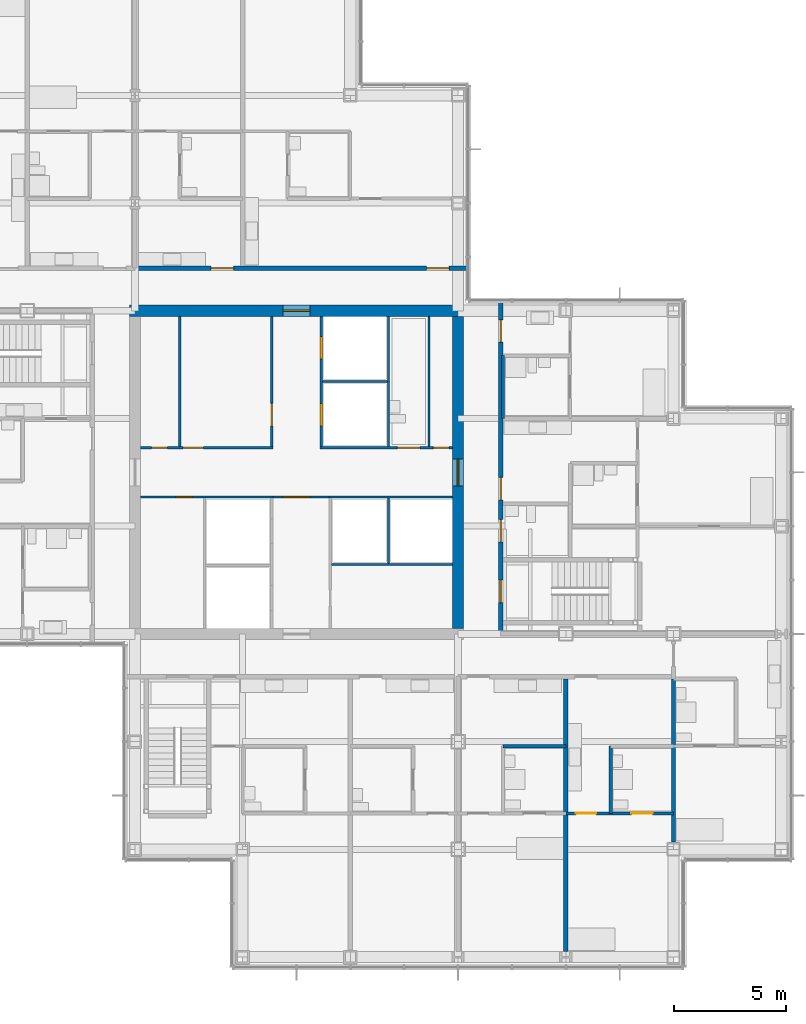
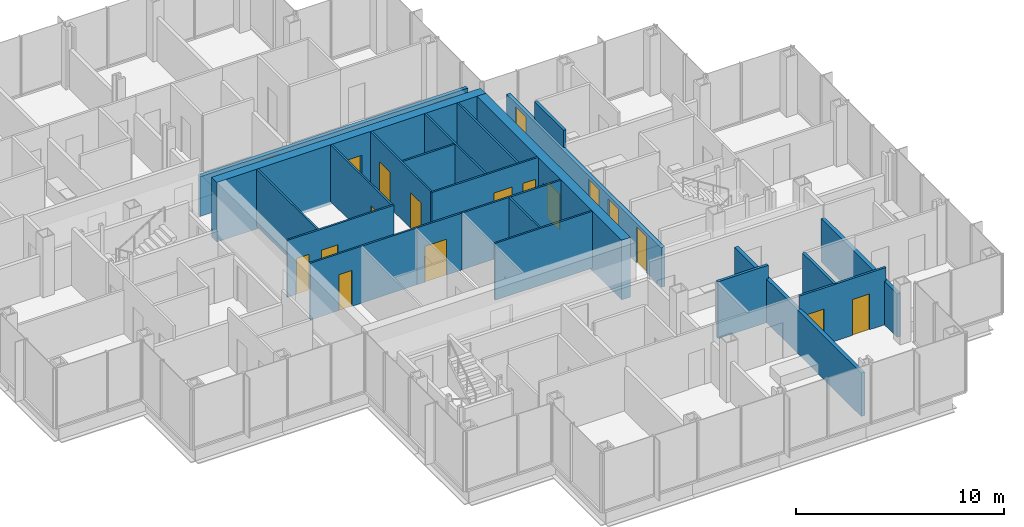
# One storey, part 15 of 20: 23 walls, 19 doors, 19 openings.
"""IFC4 building model written with IfcOpenShell, lengths in metres."""

from ifc_helpers import new_model, si_unit, direction, frame, frame_2d, origin, place, context, subcontext, project, spatial, rectangle, extrude, material, layer, layer_set, type_object, element, fill, save


model = new_model("IFC4")

# Units and contexts
model_context = context("Model", 3, precision=1e-05, world=origin(), true_north=direction((0.0, 1.0)))
body_context = subcontext(model_context, "Body", "Model", "MODEL_VIEW")
ifc_project = project(units=[si_unit("LENGTHUNIT", "METRE"), si_unit("AREAUNIT", "SQUARE_METRE"), si_unit("VOLUMEUNIT", "CUBIC_METRE"), si_unit("PLANEANGLEUNIT", "RADIAN"), si_unit("MASSUNIT", "GRAM", prefix="KILO")], contexts=[model_context])

# Site, building, storey
site_placement = place(None, origin())
site = spatial("IfcSite", under=ifc_project, at=site_placement, CompositionType="ELEMENT")
building_placement = place(site_placement, origin())
building = spatial("IfcBuilding", under=site, at=building_placement, Name="Kvirike Care Tower", CompositionType="ELEMENT")
storey_placement = place(building_placement, frame((0.0, 0.0, 112.0)))
storey = spatial("IfcBuildingStorey", under=building, at=storey_placement, Name="L30", CompositionType="ELEMENT", Elevation=112.0)

# Walls
ifc_material_1 = material(Name="Moisture-resistant board partition", Category="gypsum")
ifc_layer_1 = layer(ifc_material_1, 0.14990234375)
ifc_layer_set_1 = layer_set([ifc_layer_1], Name="BATHROOM WALL 150")
wall_type_1 = type_object("IfcWallType", Name="BATHROOM WALL 150", PredefinedType="PARTITIONING", material=ifc_layer_set_1)
wall_1_placement = place(storey_placement, frame((30.800048828125, 23.800048828125, 0.0), z_axis=(0.0, 0.0, 1.0), x_axis=(1.0, 0.0, 0.0)))
element("IfcWall", 1, at=wall_1_placement, inside=storey, type_object=wall_type_1, Name="Bathroom Wall 150 L30", PredefinedType="PARTITIONING", context=body_context, shape_type="SweptSolid", body=[
    extrude(rectangle(XDim=2.800048828125, YDim=0.14990234375, at=frame_2d((1.39990234375, 0.0))), origin(), (0.0, 0.0, 1.0), 3.330078125),
])
wall_2_placement = place(storey_placement, frame((35.60009765625, 20.800048828125, 0.0), z_axis=(0.0, 0.0, 1.0), x_axis=(0.0, 1.0, 0.0)))
element("IfcWall", 2, at=wall_2_placement, inside=storey, type_object=wall_type_1, Name="Bathroom Wall 150 L30", PredefinedType="PARTITIONING", context=body_context, shape_type="SweptSolid", body=[
    extrude(rectangle(XDim=3.0, YDim=0.14990234375, at=frame_2d((1.5, 0.0))), origin(), (0.0, 0.0, 1.0), 3.330078125),
])
wall_3_placement = place(storey_placement, frame((30.800048828125, 38.39990234375, 0.0), z_axis=(0.0, 0.0, 1.0), x_axis=(0.0, 1.0, 0.0)))
element("IfcWall", 3, at=wall_3_placement, inside=storey, type_object=wall_type_1, Name="Bathroom Wall 150 L30", PredefinedType="PARTITIONING", context=body_context, shape_type="SweptSolid", body=[
    extrude(rectangle(XDim=2.800048828125, YDim=0.14990234375, at=frame_2d((1.39990234375, 0.0))), origin(), (0.0, 0.0, 1.0), 3.330078125),
])

# Wall, opening, door
ifc_material_2 = material(Name="Concrete C50/60", Category="concrete")
ifc_layer_2 = layer(ifc_material_2, 0.5)
ifc_layer_set_2 = layer_set([ifc_layer_2], Name="CORE WALL 500 C50-60")
wall_type_2 = type_object("IfcWallType", Name="CORE WALL 500 C50-60", PredefinedType="SHEAR", material=ifc_layer_set_2)
wall_4_placement = place(storey_placement, frame((29.050048828125, 43.199951171875, -0.169921875), z_axis=(0.0, 0.0, 1.0), x_axis=(-1.0, 0.0, 0.0)))
wall_4 = element("IfcWall", 4, at=wall_4_placement, inside=storey, type_object=wall_type_2, Name="Core wall N L30", PredefinedType="SHEAR", context=body_context, shape_type="SweptSolid", body=[
    extrude(rectangle(XDim=14.900146484375, YDim=0.5, at=frame_2d((7.4501953125, 0.0))), origin(), (0.0, 0.0, 1.0), 3.5),
])
opening_1_placement = place(wall_4_placement, frame((6.85009765625, 0.0, 0.169921875)))
opening_1 = element("IfcOpeningElement", 5, at=opening_1_placement, cuts=wall_4, Name="Opening 30-065", PredefinedType="OPENING", context=body_context, shape_type="SweptSolid", body=[
    extrude(rectangle(XDim=1.199951171875, YDim=2.10009765625, at=frame_2d((0.60009765625, 1.050048828125))), frame((0.0, 0.260498046875, 0.0), z_axis=(0.0, -1.0, 0.0), x_axis=(1.0, 0.0, 0.0)), (0.0, 0.0, 1.0), 0.52099609375),
])
ifc_material_3 = material(Name="Timber door set", Category="wood")
door_type_1 = type_object("IfcDoorType", Name="CORE DOOR 1200", OperationType="SINGLE_SWING_LEFT", PredefinedType="DOOR", material=ifc_material_3)
door_1_placement = place(opening_1_placement, origin())
door_1 = element("IfcDoor", 6, at=door_1_placement, inside=storey, type_object=door_type_1, Name="Core door N L30", OperationType="SINGLE_SWING_LEFT", OverallHeight=2.10009765625, OverallWidth=1.199951171875, PredefinedType="DOOR", context=body_context, shape_type="SweptSolid", body=[
    extrude(rectangle(XDim=1.199951171875, YDim=2.10009765625, at=frame_2d((0.60009765625, 1.050048828125))), frame((0.0, 0.02685546875, 0.0), z_axis=(0.0, -1.0, 0.0), x_axis=(1.0, 0.0, 0.0)), (0.0, 0.0, 1.0), 0.053955078125),
])
fill(opening_1, door_1)

wall_5_placement = place(storey_placement, frame((28.800048828125, 29.050048828125, -0.169921875), z_axis=(0.0, 0.0, 1.0), x_axis=(0.0, 1.0, 0.0)))
wall_5 = element("IfcWall", 7, at=wall_5_placement, inside=storey, type_object=wall_type_2, Name="Core wall E L30", PredefinedType="SHEAR", context=body_context, shape_type="SweptSolid", body=[
    extrude(rectangle(XDim=13.89990234375, YDim=0.5, at=frame_2d((6.949951171875, 0.0))), origin(), (0.0, 0.0, 1.0), 3.5),
])
opening_2_placement = place(wall_5_placement, frame((6.35009765625, 0.0, 0.169921875)))
opening_2 = element("IfcOpeningElement", 8, at=opening_2_placement, cuts=wall_5, Name="Opening 30-064", PredefinedType="OPENING", context=body_context, shape_type="SweptSolid", body=[
    extrude(rectangle(XDim=1.199951171875, YDim=2.10009765625, at=frame_2d((0.60009765625, 1.050048828125))), frame((0.0, 0.260498046875, 0.0), z_axis=(0.0, -1.0, 0.0), x_axis=(1.0, 0.0, 0.0)), (0.0, 0.0, 1.0), 0.52099609375),
])
door_2_placement = place(opening_2_placement, origin())
door_2 = element("IfcDoor", 9, at=door_2_placement, inside=storey, type_object=door_type_1, Name="Core door E L30", OperationType="SINGLE_SWING_LEFT", OverallHeight=2.10009765625, OverallWidth=1.199951171875, PredefinedType="DOOR", context=body_context, shape_type="SweptSolid", body=[
    extrude(rectangle(XDim=1.199951171875, YDim=2.10009765625, at=frame_2d((0.60009765625, 1.050048828125))), frame((0.0, 0.02685546875, 0.0), z_axis=(0.0, -1.0, 0.0), x_axis=(1.0, 0.0, 0.0)), (0.0, 0.0, 1.0), 0.053955078125),
])
fill(opening_2, door_2)

# Wall, openings, doors
ifc_material_4 = material(Name="Plasterboard corridor wall", Category="gypsum")
ifc_layer_3 = layer(ifc_material_4, 0.199951171875)
ifc_layer_set_3 = layer_set([ifc_layer_3], Name="CORRIDOR WALL 200")
wall_type_3 = type_object("IfcWallType", Name="CORRIDOR WALL 200", PredefinedType="PARTITIONING", material=ifc_layer_set_3)
wall_6_placement = place(storey_placement, frame((29.239990234375, 45.10009765625, 0.0), z_axis=(0.0, 0.0, 1.0), x_axis=(-1.0, 0.0, 0.0)))
wall_6 = element("IfcWall", 10, at=wall_6_placement, inside=storey, type_object=wall_type_3, Name="Corridor Wall 200 L30", PredefinedType="PARTITIONING", context=body_context, shape_type="SweptSolid", body=[
    extrude(rectangle(XDim=14.840087890625, YDim=0.199951171875, at=frame_2d((7.419921875, 0.0))), origin(), (0.0, 0.0, 1.0), 2.320068359375),
])
opening_3_placement = place(wall_6_placement, frame((0.840087890625, 0.0, 0.0)))
opening_3 = element("IfcOpeningElement", 11, at=opening_3_placement, cuts=wall_6, Name="Opening 30-030", PredefinedType="OPENING", context=body_context, shape_type="SweptSolid", body=[
    extrude(rectangle(XDim=1.0, YDim=2.10009765625, at=frame_2d((0.5, 1.050048828125))), frame((0.0, 0.110595703125, 0.0), z_axis=(0.0, -1.0, 0.0), x_axis=(1.0, 0.0, 0.0)), (0.0, 0.0, 1.0), 0.220947265625),
])
opening_4_placement = place(wall_6_placement, frame((10.43994140625, 0.0, 0.0)))
opening_4 = element("IfcOpeningElement", 12, at=opening_4_placement, cuts=wall_6, Name="Opening 30-031", PredefinedType="OPENING", context=body_context, shape_type="SweptSolid", body=[
    extrude(rectangle(XDim=1.0, YDim=2.10009765625, at=frame_2d((0.5, 1.050048828125))), frame((0.0, 0.110595703125, 0.0), z_axis=(0.0, -1.0, 0.0), x_axis=(1.0, 0.0, 0.0)), (0.0, 0.0, 1.0), 0.220947265625),
])
ifc_material_5 = material(Name="Timber door set", Category="wood")
door_type_2 = type_object("IfcDoorType", Name="FLAT ENTRANCE DOOR 1000", OperationType="SINGLE_SWING_LEFT", PredefinedType="DOOR", material=ifc_material_5)
door_3_placement = place(opening_3_placement, frame((1.0, 0.0, 0.0), z_axis=(0.0, 0.0, 1.0), x_axis=(-1.0, 0.0, 0.0)))
door_3 = element("IfcDoor", 13, at=door_3_placement, inside=storey, type_object=door_type_2, Name="Household lounge entrance", OperationType="SINGLE_SWING_LEFT", OverallHeight=2.10009765625, OverallWidth=1.0, PredefinedType="DOOR", context=body_context, shape_type="SweptSolid", body=[
    extrude(rectangle(XDim=1.0, YDim=2.10009765625, at=frame_2d((0.5, 1.050048828125))), frame((0.0, 0.02685546875, 0.0), z_axis=(0.0, -1.0, 0.0), x_axis=(1.0, 0.0, 0.0)), (0.0, 0.0, 1.0), 0.053955078125),
])
fill(opening_3, door_3)
door_4_placement = place(opening_4_placement, frame((1.0, 0.0, 0.0), z_axis=(0.0, 0.0, 1.0), x_axis=(-1.0, 0.0, 0.0)))
door_4 = element("IfcDoor", 14, at=door_4_placement, inside=storey, type_object=door_type_2, Name="Household dining entrance", OperationType="SINGLE_SWING_LEFT", OverallHeight=2.10009765625, OverallWidth=1.0, PredefinedType="DOOR", context=body_context, shape_type="SweptSolid", body=[
    extrude(rectangle(XDim=1.0, YDim=2.10009765625, at=frame_2d((0.5, 1.050048828125))), frame((0.0, 0.02685546875, 0.0), z_axis=(0.0, -1.0, 0.0), x_axis=(1.0, 0.0, 0.0)), (0.0, 0.0, 1.0), 0.053955078125),
])
fill(opening_4, door_4)

wall_7_placement = place(storey_placement, frame((30.699951171875, 28.800048828125, 0.0), z_axis=(0.0, 0.0, 1.0), x_axis=(0.0, 1.0, 0.0)))
wall_7 = element("IfcWall", 15, at=wall_7_placement, inside=storey, type_object=wall_type_3, Name="Corridor Wall 200 L30", PredefinedType="PARTITIONING", context=body_context, shape_type="SweptSolid", body=[
    extrude(rectangle(XDim=14.83984375, YDim=0.199951171875, at=frame_2d((7.419921875, 0.0))), origin(), (0.0, 0.0, 1.0), 2.320068359375),
])
opening_5_placement = place(wall_7_placement, frame((1.39990234375, 0.0, 0.0)))
opening_5 = element("IfcOpeningElement", 16, at=opening_5_placement, cuts=wall_7, Name="Opening 30-046", PredefinedType="OPENING", context=body_context, shape_type="SweptSolid", body=[
    extrude(rectangle(XDim=1.0, YDim=2.10009765625, at=frame_2d((0.5, 1.050048828125))), frame((0.0, 0.110595703125, 0.0), z_axis=(0.0, -1.0, 0.0), x_axis=(1.0, 0.0, 0.0)), (0.0, 0.0, 1.0), 0.220947265625),
])
opening_6_placement = place(wall_7_placement, frame((4.10009765625, 0.0, 0.0)))
opening_6 = element("IfcOpeningElement", 17, at=opening_6_placement, cuts=wall_7, Name="Opening 30-047", PredefinedType="OPENING", context=body_context, shape_type="SweptSolid", body=[
    extrude(rectangle(XDim=1.0, YDim=2.10009765625, at=frame_2d((0.5, 1.050048828125))), frame((0.0, 0.110595703125, 0.0), z_axis=(0.0, -1.0, 0.0), x_axis=(1.0, 0.0, 0.0)), (0.0, 0.0, 1.0), 0.220947265625),
])
opening_7_placement = place(wall_7_placement, frame((5.97509765625, 0.0, 0.0)))
opening_7 = element("IfcOpeningElement", 18, at=opening_7_placement, cuts=wall_7, Name="Opening 30-048", PredefinedType="OPENING", context=body_context, shape_type="SweptSolid", body=[
    extrude(rectangle(XDim=1.0, YDim=2.10009765625, at=frame_2d((0.5, 1.050048828125))), frame((0.0, 0.110595703125, 0.0), z_axis=(0.0, -1.0, 0.0), x_axis=(1.0, 0.0, 0.0)), (0.0, 0.0, 1.0), 0.220947265625),
])
opening_8_placement = place(wall_7_placement, frame((13.0, 0.0, 0.0)))
opening_8 = element("IfcOpeningElement", 19, at=opening_8_placement, cuts=wall_7, Name="Opening 30-049", PredefinedType="OPENING", context=body_context, shape_type="SweptSolid", body=[
    extrude(rectangle(XDim=1.0, YDim=2.10009765625, at=frame_2d((0.5, 1.050048828125))), frame((0.0, 0.110595703125, 0.0), z_axis=(0.0, -1.0, 0.0), x_axis=(1.0, 0.0, 0.0)), (0.0, 0.0, 1.0), 0.220947265625),
])
door_5_placement = place(opening_7_placement, frame((1.0, 0.0, 0.0), z_axis=(0.0, 0.0, 1.0), x_axis=(-1.0, 0.0, 0.0)))
door_5 = element("IfcDoor", 20, at=door_5_placement, inside=storey, type_object=door_type_2, Name="Assisted living suite entrance", OperationType="SINGLE_SWING_LEFT", OverallHeight=2.10009765625, OverallWidth=1.0, PredefinedType="DOOR", context=body_context, shape_type="SweptSolid", body=[
    extrude(rectangle(XDim=1.0, YDim=2.10009765625, at=frame_2d((0.5, 1.050048828125))), frame((0.0, 0.02685546875, 0.0), z_axis=(0.0, -1.0, 0.0), x_axis=(1.0, 0.0, 0.0)), (0.0, 0.0, 1.0), 0.053955078125),
])
fill(opening_7, door_5)
door_6_placement = place(opening_8_placement, frame((1.0, 0.0, 0.0), z_axis=(0.0, 0.0, 1.0), x_axis=(-1.0, 0.0, 0.0)))
door_6 = element("IfcDoor", 21, at=door_6_placement, inside=storey, type_object=door_type_2, Name="Assisted living suite entrance", OperationType="SINGLE_SWING_RIGHT", OverallHeight=2.10009765625, OverallWidth=1.0, PredefinedType="DOOR", context=body_context, shape_type="SweptSolid", body=[
    extrude(rectangle(XDim=1.0, YDim=2.10009765625, at=frame_2d((0.5, 1.050048828125))), frame((0.0, 0.02685546875, 0.0), z_axis=(0.0, -1.0, 0.0), x_axis=(1.0, 0.0, 0.0)), (0.0, 0.0, 1.0), 0.053955078125),
])
fill(opening_8, door_6)
ifc_material_6 = material(Name="Timber door set", Category="wood")
door_type_3 = type_object("IfcDoorType", Name="STAIR DOOR 1000", OperationType="SINGLE_SWING_LEFT", PredefinedType="DOOR", material=ifc_material_6)
door_7_placement = place(opening_5_placement, frame((1.0, 0.0, 0.0), z_axis=(0.0, 0.0, 1.0), x_axis=(-1.0, 0.0, 0.0)))
door_7 = element("IfcDoor", 22, at=door_7_placement, inside=storey, type_object=door_type_3, Name="Stair 2 door", OperationType="SINGLE_SWING_LEFT", OverallHeight=2.10009765625, OverallWidth=1.0, PredefinedType="DOOR", context=body_context, shape_type="SweptSolid", body=[
    extrude(rectangle(XDim=1.0, YDim=2.10009765625, at=frame_2d((0.5, 1.050048828125))), frame((0.0, 0.031982421875, 0.0), z_axis=(0.0, -1.0, 0.0), x_axis=(1.0, 0.0, 0.0)), (0.0, 0.0, 1.0), 0.06396484375),
])
fill(opening_5, door_7)
ifc_material_7 = material(Name="Timber door set", Category="wood")
door_type_4 = type_object("IfcDoorType", Name="WC DOOR 1000", OperationType="SINGLE_SWING_LEFT", PredefinedType="DOOR", material=ifc_material_7)
door_8_placement = place(opening_6_placement, frame((1.0, 0.0, 0.0), z_axis=(0.0, 0.0, 1.0), x_axis=(-1.0, 0.0, 0.0)))
door_8 = element("IfcDoor", 23, at=door_8_placement, inside=storey, type_object=door_type_4, Name="Accessible WC door", OperationType="SINGLE_SWING_LEFT", OverallHeight=2.10009765625, OverallWidth=1.0, PredefinedType="DOOR", context=body_context, shape_type="SweptSolid", body=[
    extrude(rectangle(XDim=1.0, YDim=2.10009765625, at=frame_2d((0.5, 1.050048828125))), frame((0.0, 0.02685546875, 0.0), z_axis=(0.0, -1.0, 0.0), x_axis=(1.0, 0.0, 0.0)), (0.0, 0.0, 1.0), 0.053955078125),
])
fill(opening_6, door_8)

ifc_material_8 = material(Name="Plasterboard partition", Category="gypsum")
ifc_layer_4 = layer(ifc_material_8, 0.1201171875)
ifc_layer_set_4 = layer_set([ifc_layer_4], Name="PARTITION 120")
wall_type_4 = type_object("IfcWallType", Name="PARTITION 120", PredefinedType="PARTITIONING", material=ifc_layer_set_4)
wall_8_placement = place(storey_placement, frame((33.60009765625, 20.800048828125, 0.0), z_axis=(0.0, 0.0, 1.0), x_axis=(1.0, 0.0, 0.0)))
wall_8 = element("IfcWall", 24, at=wall_8_placement, inside=storey, type_object=wall_type_4, Name="Partition 120 L30", PredefinedType="PARTITIONING", context=body_context, shape_type="SweptSolid", body=[
    extrude(rectangle(XDim=4.7998046875, YDim=0.1201171875, at=frame_2d((2.39990234375, 0.0))), origin(), (0.0, 0.0, 1.0), 3.330078125),
])
opening_9_placement = place(wall_8_placement, frame((0.449951171875, 0.0, 0.0)))
opening_9 = element("IfcOpeningElement", 25, at=opening_9_placement, cuts=wall_8, Name="Opening 30-034", PredefinedType="OPENING", context=body_context, shape_type="SweptSolid", body=[
    extrude(rectangle(XDim=0.89990234375, YDim=2.10009765625, at=frame_2d((0.449951171875, 1.050048828125))), frame((0.0, 0.070556640625, 0.0), z_axis=(0.0, -1.0, 0.0), x_axis=(1.0, 0.0, 0.0)), (0.0, 0.0, 1.0), 0.14111328125),
])
opening_10_placement = place(wall_8_placement, frame((2.925048828125, 0.0, 0.0)))
opening_10 = element("IfcOpeningElement", 26, at=opening_10_placement, cuts=wall_8, Name="Opening 30-035", PredefinedType="OPENING", context=body_context, shape_type="SweptSolid", body=[
    extrude(rectangle(XDim=0.949951171875, YDim=2.10009765625, at=frame_2d((0.47509765625, 1.050048828125))), frame((0.0, 0.070556640625, 0.0), z_axis=(0.0, -1.0, 0.0), x_axis=(1.0, 0.0, 0.0)), (0.0, 0.0, 1.0), 0.14111328125),
])
ifc_material_9 = material(Name="Timber door set", Category="wood")
door_type_5 = type_object("IfcDoorType", Name="EN-SUITE SLIDING DOOR 950", OperationType="SLIDING_TO_LEFT", PredefinedType="DOOR", material=ifc_material_9)
door_9_placement = place(opening_10_placement, origin())
door_9 = element("IfcDoor", 27, at=door_9_placement, inside=storey, type_object=door_type_5, Name="En-suite door", OperationType="SLIDING_TO_LEFT", OverallHeight=2.10009765625, OverallWidth=0.949951171875, PredefinedType="DOOR", context=body_context, shape_type="SweptSolid", body=[
    extrude(rectangle(XDim=0.949951171875, YDim=2.10009765625, at=frame_2d((0.47509765625, 1.050048828125))), frame((0.0, 0.02197265625, 0.0), z_axis=(0.0, -1.0, 0.0), x_axis=(1.0, 0.0, 0.0)), (0.0, 0.0, 1.0), 0.0439453125),
])
fill(opening_10, door_9)
ifc_material_10 = material(Name="Timber door set", Category="wood")
door_type_6 = type_object("IfcDoorType", Name="INTERNAL DOOR 900", OperationType="SINGLE_SWING_LEFT", PredefinedType="DOOR", material=ifc_material_10)
door_10_placement = place(opening_9_placement, origin())
door_10 = element("IfcDoor", 28, at=door_10_placement, inside=storey, type_object=door_type_6, Name="Assisted living suite door", OperationType="SINGLE_SWING_RIGHT", OverallHeight=2.10009765625, OverallWidth=0.89990234375, PredefinedType="DOOR", context=body_context, shape_type="SweptSolid", body=[
    extrude(rectangle(XDim=0.89990234375, YDim=2.10009765625, at=frame_2d((0.449951171875, 1.050048828125))), frame((0.0, 0.02197265625, 0.0), z_axis=(0.0, -1.0, 0.0), x_axis=(1.0, 0.0, 0.0)), (0.0, 0.0, 1.0), 0.0439453125),
])
fill(opening_9, door_10)

# Walls
ifc_material_11 = material(Name="Plasterboard party wall", Category="gypsum")
ifc_layer_5 = layer(ifc_material_11, 0.199951171875)
ifc_layer_set_5 = layer_set([ifc_layer_5], Name="PARTY WALL 200")
wall_type_5 = type_object("IfcWallType", Name="PARTY WALL 200", PredefinedType="PARTITIONING", material=ifc_layer_set_5)
wall_9_placement = place(storey_placement, frame((33.60009765625, 14.64404296875, 0.0), z_axis=(0.0, 0.0, 1.0), x_axis=(0.0, 1.0, 0.0)))
element("IfcWall", 29, at=wall_9_placement, inside=storey, type_object=wall_type_5, Name="Party Wall 200 L30", PredefinedType="PARTITIONING", context=body_context, shape_type="SweptSolid", body=[
    extrude(rectangle(XDim=12.156005859375, YDim=0.199951171875, at=frame_2d((6.078125, 0.0))), origin(), (0.0, 0.0, 1.0), 2.550048828125),
])
wall_10_placement = place(storey_placement, frame((38.39990234375, 19.52001953125, 0.0), z_axis=(0.0, 0.0, 1.0), x_axis=(0.0, 1.0, 0.0)))
element("IfcWall", 30, at=wall_10_placement, inside=storey, type_object=wall_type_5, Name="Party Wall 200 L30", PredefinedType="PARTITIONING", context=body_context, shape_type="SweptSolid", body=[
    extrude(rectangle(XDim=7.280029296875, YDim=0.199951171875, at=frame_2d((3.64013671875, 0.0))), origin(), (0.0, 0.0, 1.0), 2.550048828125),
])
ifc_material_12 = material(Name="Gypsum shaft wall system", Category="gypsum")
ifc_layer_6 = layer(ifc_material_12, 0.10009765625)
ifc_layer_set_6 = layer_set([ifc_layer_6], Name="SHAFT WALL 100")
wall_type_6 = type_object("IfcWallType", Name="SHAFT WALL 100", PredefinedType="SOLIDWALL", material=ifc_layer_set_6)
for number, where, z_axis, x_axis, name in (
    (31, (16.39990234375, 37.14990234375, 0.0), (0.0, 0.0, 1.0), (0.0, 1.0, 0.0), "Shaft Wall 100 L30"),
    (32, (27.5, 37.14990234375, 0.0), (0.0, 0.0, 1.0), (0.0, 1.0, 0.0), "Shaft Wall 100 L30"),
):
    element("IfcWall", number, at=place(storey_placement, frame(where, z_axis=z_axis, x_axis=x_axis)), inside=storey, type_object=wall_type_6, Name=name, PredefinedType="SOLIDWALL", context=body_context, shape_type="SweptSolid", body=[
        extrude(rectangle(XDim=5.800048828125, YDim=0.10009765625, at=frame_2d((2.89990234375, 0.0))), origin(), (0.0, 0.0, 1.0), 3.330078125),
    ])

# Wall, opening, door
wall_11_placement = place(storey_placement, frame((20.5, 37.14990234375, 0.0), z_axis=(0.0, 0.0, 1.0), x_axis=(0.0, 1.0, 0.0)))
wall_11 = element("IfcWall", 33, at=wall_11_placement, inside=storey, type_object=wall_type_6, Name="Shaft Wall 100 L30", PredefinedType="SOLIDWALL", context=body_context, shape_type="SweptSolid", body=[
    extrude(rectangle(XDim=5.800048828125, YDim=0.10009765625, at=frame_2d((2.89990234375, 0.0))), origin(), (0.0, 0.0, 1.0), 3.330078125),
])
opening_11_placement = place(wall_11_placement, frame((0.925048828125, 0.0, 0.0)))
opening_11 = element("IfcOpeningElement", 34, at=opening_11_placement, cuts=wall_11, Name="Opening 30-052", PredefinedType="OPENING", context=body_context, shape_type="SweptSolid", body=[
    extrude(rectangle(XDim=1.0, YDim=2.10009765625, at=frame_2d((0.5, 1.050048828125))), frame((0.0, 0.060546875, 0.0), z_axis=(0.0, -1.0, 0.0), x_axis=(1.0, 0.0, 0.0)), (0.0, 0.0, 1.0), 0.12109375),
])
door_11_placement = place(opening_11_placement, origin())
door_11 = element("IfcDoor", 35, at=door_11_placement, inside=storey, type_object=door_type_4, Name="Staff WC door", OperationType="SINGLE_SWING_RIGHT", OverallHeight=2.10009765625, OverallWidth=1.0, PredefinedType="DOOR", context=body_context, shape_type="SweptSolid", body=[
    extrude(rectangle(XDim=1.0, YDim=2.10009765625, at=frame_2d((0.5, 1.050048828125))), frame((0.0, 0.02685546875, 0.0), z_axis=(0.0, -1.0, 0.0), x_axis=(1.0, 0.0, 0.0)), (0.0, 0.0, 1.0), 0.053955078125),
])
fill(opening_11, door_11)

# Wall, openings, doors
wall_12_placement = place(storey_placement, frame((22.699951171875, 37.14990234375, 0.0), z_axis=(0.0, 0.0, 1.0), x_axis=(0.0, 1.0, 0.0)))
wall_12 = element("IfcWall", 36, at=wall_12_placement, inside=storey, type_object=wall_type_6, Name="Shaft Wall 100 L30", PredefinedType="SOLIDWALL", context=body_context, shape_type="SweptSolid", body=[
    extrude(rectangle(XDim=5.800048828125, YDim=0.10009765625, at=frame_2d((2.89990234375, 0.0))), origin(), (0.0, 0.0, 1.0), 3.330078125),
])
opening_12_placement = place(wall_12_placement, frame((0.925048828125, 0.0, 0.0)))
opening_12 = element("IfcOpeningElement", 37, at=opening_12_placement, cuts=wall_12, Name="Opening 30-053", PredefinedType="OPENING", context=body_context, shape_type="SweptSolid", body=[
    extrude(rectangle(XDim=1.0, YDim=2.10009765625, at=frame_2d((0.5, 1.050048828125))), frame((0.0, 0.060546875, 0.0), z_axis=(0.0, -1.0, 0.0), x_axis=(1.0, 0.0, 0.0)), (0.0, 0.0, 1.0), 0.12109375),
])
opening_13_placement = place(wall_12_placement, frame((3.89990234375, 0.0, 0.0)))
opening_13 = element("IfcOpeningElement", 38, at=opening_13_placement, cuts=wall_12, Name="Opening 30-054", PredefinedType="OPENING", context=body_context, shape_type="SweptSolid", body=[
    extrude(rectangle(XDim=1.0, YDim=2.10009765625, at=frame_2d((0.5, 1.050048828125))), frame((0.0, 0.060546875, 0.0), z_axis=(0.0, -1.0, 0.0), x_axis=(1.0, 0.0, 0.0)), (0.0, 0.0, 1.0), 0.12109375),
])
ifc_material_13 = material(Name="Aluminium door frame", Category="aluminium")
door_type_7 = type_object("IfcDoorType", Name="LIFT LANDING DOOR 1000", OperationType="SLIDING_TO_LEFT", PredefinedType="DOOR", material=ifc_material_13)
door_12_placement = place(opening_12_placement, origin())
door_12 = element("IfcDoor", 39, at=door_12_placement, inside=storey, type_object=door_type_7, Name="Lift P3 landing door", OperationType="SLIDING_TO_LEFT", OverallHeight=2.10009765625, OverallWidth=1.0, PredefinedType="DOOR", context=body_context, shape_type="SweptSolid", body=[
    extrude(rectangle(XDim=1.0, YDim=2.10009765625, at=frame_2d((0.5, 1.050048828125))), frame((0.0, 0.0498046875, 0.0), z_axis=(0.0, -1.0, 0.0), x_axis=(1.0, 0.0, 0.0)), (0.0, 0.0, 1.0), 0.099609375),
])
fill(opening_12, door_12)
door_13_placement = place(opening_13_placement, origin())
door_13 = element("IfcDoor", 40, at=door_13_placement, inside=storey, type_object=door_type_7, Name="Lift P4 landing door", OperationType="SLIDING_TO_LEFT", OverallHeight=2.10009765625, OverallWidth=1.0, PredefinedType="DOOR", context=body_context, shape_type="SweptSolid", body=[
    extrude(rectangle(XDim=1.0, YDim=2.10009765625, at=frame_2d((0.5, 1.050048828125))), frame((0.0, 0.0498046875, 0.0), z_axis=(0.0, -1.0, 0.0), x_axis=(1.0, 0.0, 0.0)), (0.0, 0.0, 1.0), 0.099609375),
])
fill(opening_13, door_13)

# Wall, opening, door
wall_13_placement = place(storey_placement, frame((14.64990234375, 34.89990234375, 0.0), z_axis=(0.0, 0.0, 1.0), x_axis=(1.0, 0.0, 0.0)))
wall_13 = element("IfcWall", 41, at=wall_13_placement, inside=storey, type_object=wall_type_6, Name="Shaft Wall 100 L30", PredefinedType="SOLIDWALL", context=body_context, shape_type="SweptSolid", body=[
    extrude(rectangle(XDim=5.900146484375, YDim=0.10009765625, at=frame_2d((2.9501953125, 0.0))), origin(), (0.0, 0.0, 1.0), 3.330078125),
])
opening_14_placement = place(wall_13_placement, frame((1.60009765625, 0.0, 0.0)))
opening_14 = element("IfcOpeningElement", 42, at=opening_14_placement, cuts=wall_13, Name="Opening 30-056", PredefinedType="OPENING", context=body_context, shape_type="SweptSolid", body=[
    extrude(rectangle(XDim=0.699951171875, YDim=2.10009765625, at=frame_2d((0.35009765625, 1.050048828125))), frame((0.0, 0.060546875, 0.0), z_axis=(0.0, -1.0, 0.0), x_axis=(1.0, 0.0, 0.0)), (0.0, 0.0, 1.0), 0.12109375),
])
ifc_material_14 = material(Name="Timber door set", Category="wood")
door_type_8 = type_object("IfcDoorType", Name="RISER DOOR 700", OperationType="SINGLE_SWING_LEFT", PredefinedType="DOOR", material=ifc_material_14)
door_14_placement = place(opening_14_placement, frame((0.699951171875, 0.0, 0.0), z_axis=(0.0, 0.0, 1.0), x_axis=(-1.0, 0.0, 0.0)))
door_14 = element("IfcDoor", 43, at=door_14_placement, inside=storey, type_object=door_type_8, Name="Riser door", OperationType="SINGLE_SWING_RIGHT", OverallHeight=2.10009765625, OverallWidth=0.699951171875, PredefinedType="DOOR", context=body_context, shape_type="SweptSolid", body=[
    extrude(rectangle(XDim=0.699951171875, YDim=2.10009765625, at=frame_2d((0.35009765625, 1.050048828125))), frame((0.0, 0.02685546875, 0.0), z_axis=(0.0, -1.0, 0.0), x_axis=(1.0, 0.0, 0.0)), (0.0, 0.0, 1.0), 0.053955078125),
])
fill(opening_14, door_14)

# Wall
wall_14_placement = place(storey_placement, frame((23.050048828125, 34.89990234375, 0.0), z_axis=(0.0, 0.0, 1.0), x_axis=(1.0, 0.0, 0.0)))
element("IfcWall", 44, at=wall_14_placement, inside=storey, type_object=wall_type_6, Name="Shaft Wall 100 L30", PredefinedType="SOLIDWALL", context=body_context, shape_type="SweptSolid", body=[
    extrude(rectangle(XDim=5.5, YDim=0.10009765625, at=frame_2d((2.75, 0.0))), origin(), (0.0, 0.0, 1.0), 3.330078125),
])

# Wall, openings, doors
wall_15_placement = place(storey_placement, frame((14.64990234375, 37.10009765625, 0.0), z_axis=(0.0, 0.0, 1.0), x_axis=(1.0, 0.0, 0.0)))
wall_15 = element("IfcWall", 45, at=wall_15_placement, inside=storey, type_object=wall_type_6, Name="Shaft Wall 100 L30", PredefinedType="SOLIDWALL", context=body_context, shape_type="SweptSolid", body=[
    extrude(rectangle(XDim=5.900146484375, YDim=0.10009765625, at=frame_2d((2.9501953125, 0.0))), origin(), (0.0, 0.0, 1.0), 3.330078125),
])
opening_15_placement = place(wall_15_placement, frame((0.5, 0.0, 0.0)))
opening_15 = element("IfcOpeningElement", 46, at=opening_15_placement, cuts=wall_15, Name="Opening 30-057", PredefinedType="OPENING", context=body_context, shape_type="SweptSolid", body=[
    extrude(rectangle(XDim=0.699951171875, YDim=2.10009765625, at=frame_2d((0.35009765625, 1.050048828125))), frame((0.0, 0.060546875, 0.0), z_axis=(0.0, -1.0, 0.0), x_axis=(1.0, 0.0, 0.0)), (0.0, 0.0, 1.0), 0.12109375),
])
opening_16_placement = place(wall_15_placement, frame((1.89990234375, 0.0, 0.0)))
opening_16 = element("IfcOpeningElement", 47, at=opening_16_placement, cuts=wall_15, Name="Opening 30-058", PredefinedType="OPENING", context=body_context, shape_type="SweptSolid", body=[
    extrude(rectangle(XDim=0.89990234375, YDim=2.10009765625, at=frame_2d((0.449951171875, 1.050048828125))), frame((0.0, 0.060546875, 0.0), z_axis=(0.0, -1.0, 0.0), x_axis=(1.0, 0.0, 0.0)), (0.0, 0.0, 1.0), 0.12109375),
])
door_15_placement = place(opening_15_placement, origin())
door_15 = element("IfcDoor", 48, at=door_15_placement, inside=storey, type_object=door_type_8, Name="Riser door", OperationType="SINGLE_SWING_RIGHT", OverallHeight=2.10009765625, OverallWidth=0.699951171875, PredefinedType="DOOR", context=body_context, shape_type="SweptSolid", body=[
    extrude(rectangle(XDim=0.699951171875, YDim=2.10009765625, at=frame_2d((0.35009765625, 1.050048828125))), frame((0.0, 0.02685546875, 0.0), z_axis=(0.0, -1.0, 0.0), x_axis=(1.0, 0.0, 0.0)), (0.0, 0.0, 1.0), 0.053955078125),
])
fill(opening_15, door_15)
ifc_material_15 = material(Name="Timber door set", Category="wood")
door_type_9 = type_object("IfcDoorType", Name="STORE DOOR 900", OperationType="SINGLE_SWING_LEFT", PredefinedType="DOOR", material=ifc_material_15)
door_16_placement = place(opening_16_placement, origin())
door_16 = element("IfcDoor", 49, at=door_16_placement, inside=storey, type_object=door_type_9, Name="Staff changing room door", OperationType="SINGLE_SWING_RIGHT", OverallHeight=2.10009765625, OverallWidth=0.89990234375, PredefinedType="DOOR", context=body_context, shape_type="SweptSolid", body=[
    extrude(rectangle(XDim=0.89990234375, YDim=2.10009765625, at=frame_2d((0.449951171875, 1.050048828125))), frame((0.0, 0.02685546875, 0.0), z_axis=(0.0, -1.0, 0.0), x_axis=(1.0, 0.0, 0.0)), (0.0, 0.0, 1.0), 0.053955078125),
])
fill(opening_16, door_16)

wall_16_placement = place(storey_placement, frame((22.64990234375, 37.10009765625, 0.0), z_axis=(0.0, 0.0, 1.0), x_axis=(1.0, 0.0, 0.0)))
wall_16 = element("IfcWall", 50, at=wall_16_placement, inside=storey, type_object=wall_type_6, Name="Shaft Wall 100 L30", PredefinedType="SOLIDWALL", context=body_context, shape_type="SweptSolid", body=[
    extrude(rectangle(XDim=5.900146484375, YDim=0.10009765625, at=frame_2d((2.9501953125, 0.0))), origin(), (0.0, 0.0, 1.0), 3.330078125),
])
opening_17_placement = place(wall_16_placement, frame((3.449951171875, 0.0, 0.0)))
opening_17 = element("IfcOpeningElement", 51, at=opening_17_placement, cuts=wall_16, Name="Opening 30-059", PredefinedType="OPENING", context=body_context, shape_type="SweptSolid", body=[
    extrude(rectangle(XDim=1.0, YDim=2.10009765625, at=frame_2d((0.5, 1.050048828125))), frame((0.0, 0.060546875, 0.0), z_axis=(0.0, -1.0, 0.0), x_axis=(1.0, 0.0, 0.0)), (0.0, 0.0, 1.0), 0.12109375),
])
opening_18_placement = place(wall_16_placement, frame((5.050048828125, 0.0, 0.0)))
opening_18 = element("IfcOpeningElement", 52, at=opening_18_placement, cuts=wall_16, Name="Opening 30-060", PredefinedType="OPENING", context=body_context, shape_type="SweptSolid", body=[
    extrude(rectangle(XDim=0.699951171875, YDim=2.10009765625, at=frame_2d((0.35009765625, 1.050048828125))), frame((0.0, 0.060546875, 0.0), z_axis=(0.0, -1.0, 0.0), x_axis=(1.0, 0.0, 0.0)), (0.0, 0.0, 1.0), 0.12109375),
])
door_17_placement = place(opening_18_placement, origin())
door_17 = element("IfcDoor", 53, at=door_17_placement, inside=storey, type_object=door_type_8, Name="Riser door", OperationType="SINGLE_SWING_LEFT", OverallHeight=2.10009765625, OverallWidth=0.699951171875, PredefinedType="DOOR", context=body_context, shape_type="SweptSolid", body=[
    extrude(rectangle(XDim=0.699951171875, YDim=2.10009765625, at=frame_2d((0.35009765625, 1.050048828125))), frame((0.0, 0.02685546875, 0.0), z_axis=(0.0, -1.0, 0.0), x_axis=(1.0, 0.0, 0.0)), (0.0, 0.0, 1.0), 0.053955078125),
])
fill(opening_18, door_17)
door_18_placement = place(opening_17_placement, origin())
door_18 = element("IfcDoor", 54, at=door_18_placement, inside=storey, type_object=door_type_4, Name="Staff WC door", OperationType="SINGLE_SWING_LEFT", OverallHeight=2.10009765625, OverallWidth=1.0, PredefinedType="DOOR", context=body_context, shape_type="SweptSolid", body=[
    extrude(rectangle(XDim=1.0, YDim=2.10009765625, at=frame_2d((0.5, 1.050048828125))), frame((0.0, 0.02685546875, 0.0), z_axis=(0.0, -1.0, 0.0), x_axis=(1.0, 0.0, 0.0)), (0.0, 0.0, 1.0), 0.053955078125),
])
fill(opening_17, door_18)

# Wall, opening, door
wall_17_placement = place(storey_placement, frame((20.550048828125, 34.89990234375, 0.0), z_axis=(0.0, 0.0, 1.0), x_axis=(1.0, 0.0, 0.0)))
wall_17 = element("IfcWall", 55, at=wall_17_placement, inside=storey, type_object=wall_type_6, Name="Shaft Wall 100 L30", PredefinedType="SOLIDWALL", context=body_context, shape_type="SweptSolid", body=[
    extrude(rectangle(XDim=2.5, YDim=0.10009765625, at=frame_2d((1.25, 0.0))), origin(), (0.0, 0.0, 1.0), 3.330078125),
])
opening_19_placement = place(wall_17_placement, frame((0.449951171875, 0.0, 0.0)))
opening_19 = element("IfcOpeningElement", 56, at=opening_19_placement, cuts=wall_17, Name="Opening 30-061", PredefinedType="OPENING", context=body_context, shape_type="SweptSolid", body=[
    extrude(rectangle(XDim=1.199951171875, YDim=2.10009765625, at=frame_2d((0.60009765625, 1.050048828125))), frame((0.0, 0.060546875, 0.0), z_axis=(0.0, -1.0, 0.0), x_axis=(1.0, 0.0, 0.0)), (0.0, 0.0, 1.0), 0.12109375),
])
door_19_placement = place(opening_19_placement, frame((1.199951171875, 0.0, 0.0), z_axis=(0.0, 0.0, 1.0), x_axis=(-1.0, 0.0, 0.0)))
door_19 = element("IfcDoor", 57, at=door_19_placement, inside=storey, type_object=door_type_1, Name="Fire-fighting lobby door", OperationType="SINGLE_SWING_LEFT", OverallHeight=2.10009765625, OverallWidth=1.199951171875, PredefinedType="DOOR", context=body_context, shape_type="SweptSolid", body=[
    extrude(rectangle(XDim=1.199951171875, YDim=2.10009765625, at=frame_2d((0.60009765625, 1.050048828125))), frame((0.0, 0.02685546875, 0.0), z_axis=(0.0, -1.0, 0.0), x_axis=(1.0, 0.0, 0.0)), (0.0, 0.0, 1.0), 0.053955078125),
])
fill(opening_19, door_19)

# Walls
wall_18_placement = place(storey_placement, frame((22.75, 40.050048828125, 0.0), z_axis=(0.0, 0.0, 1.0), x_axis=(1.0, 0.0, 0.0)))
element("IfcWall", 58, at=wall_18_placement, inside=storey, type_object=wall_type_6, Name="Shaft Wall 100 L30", PredefinedType="SOLIDWALL", context=body_context, shape_type="SweptSolid", body=[
    extrude(rectangle(XDim=2.89990234375, YDim=0.10009765625, at=frame_2d((1.449951171875, 0.0))), origin(), (0.0, 0.0, 1.0), 3.330078125),
])
wall_19_placement = place(storey_placement, frame((25.699951171875, 37.14990234375, 0.0), z_axis=(0.0, 0.0, 1.0), x_axis=(0.0, 1.0, 0.0)))
element("IfcWall", 59, at=wall_19_placement, inside=storey, type_object=wall_type_6, Name="Shaft Wall 100 L30", PredefinedType="SOLIDWALL", context=body_context, shape_type="SweptSolid", body=[
    extrude(rectangle(XDim=5.800048828125, YDim=0.10009765625, at=frame_2d((2.89990234375, 0.0))), origin(), (0.0, 0.0, 1.0), 3.330078125),
])
wall_20_placement = place(storey_placement, frame((25.699951171875, 31.949951171875, 0.0), z_axis=(0.0, 0.0, 1.0), x_axis=(0.0, 1.0, 0.0)))
element("IfcWall", 60, at=wall_20_placement, inside=storey, type_object=wall_type_6, Name="Shaft Wall 100 L30", PredefinedType="SOLIDWALL", context=body_context, shape_type="SweptSolid", body=[
    extrude(rectangle(XDim=2.900146484375, YDim=0.10009765625, at=frame_2d((1.4501953125, 0.0))), origin(), (0.0, 0.0, 1.0), 3.330078125),
])
wall_21_placement = place(storey_placement, frame((23.14990234375, 31.89990234375, 0.0), z_axis=(0.0, 0.0, 1.0), x_axis=(1.0, 0.0, 0.0)))
element("IfcWall", 61, at=wall_21_placement, inside=storey, type_object=wall_type_6, Name="Shaft Wall 100 L30", PredefinedType="SOLIDWALL", context=body_context, shape_type="SweptSolid", body=[
    extrude(rectangle(XDim=5.400146484375, YDim=0.10009765625, at=frame_2d((2.7001953125, 0.0))), origin(), (0.0, 0.0, 1.0), 3.330078125),
])

save(model, "model.ifc")
